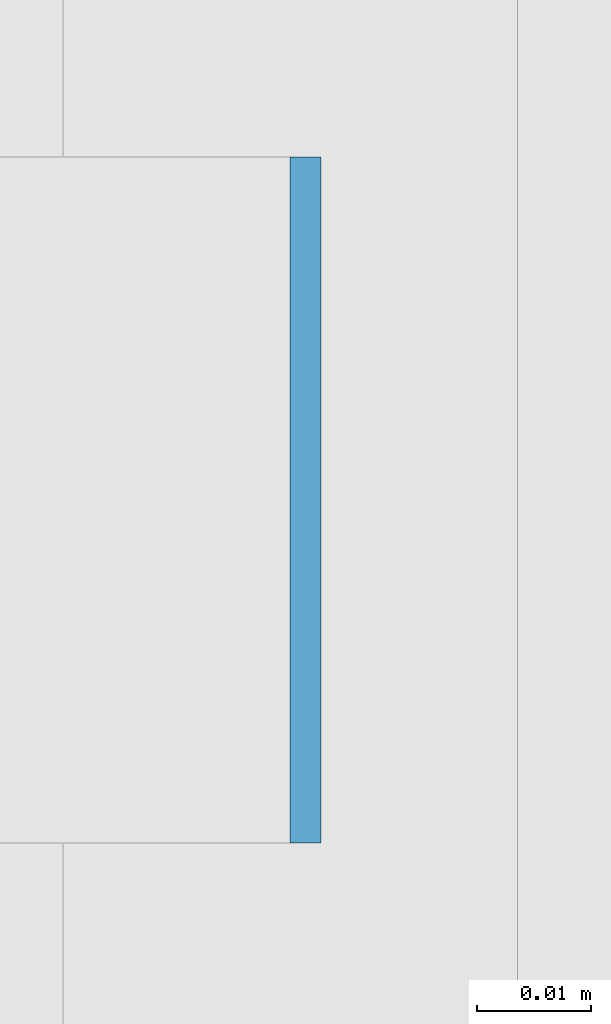
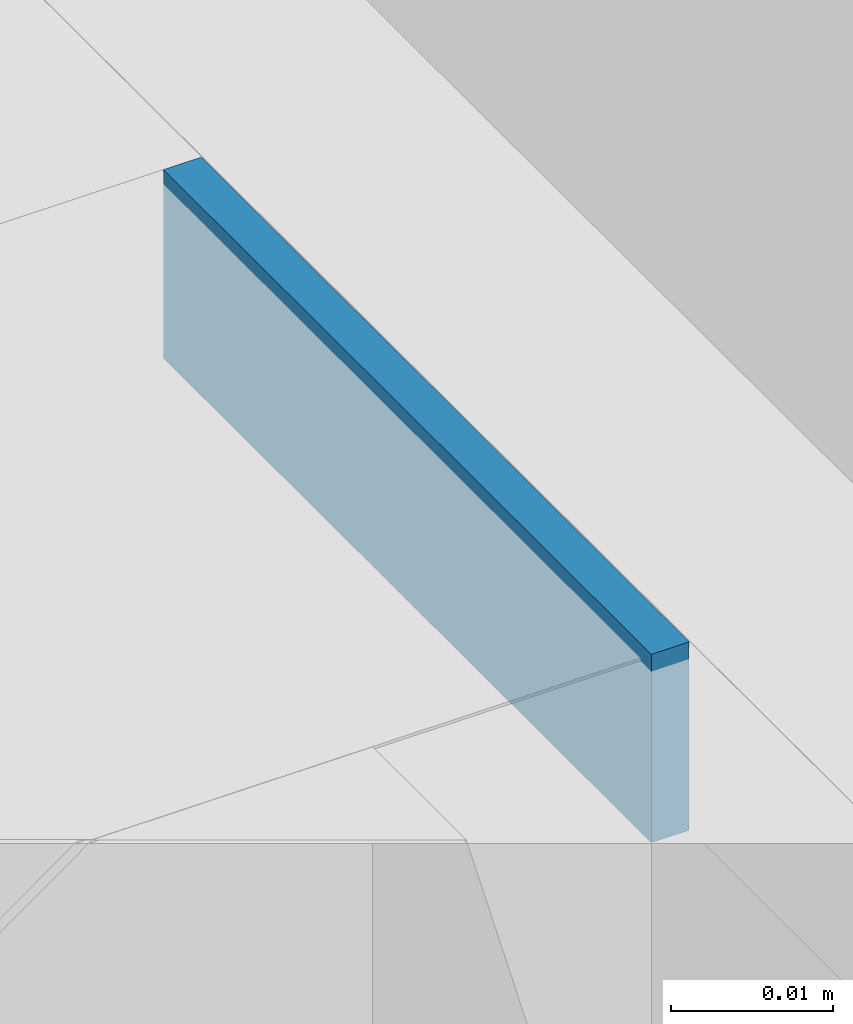
# One storey, part 295 of 646: 1 discrete accessory.
"""IFC4 building model written with IfcOpenShell, lengths in metres."""

import ifcopenshell
import ifcopenshell.guid

model = None  # the IFC model being written
_history = None  # IfcOwnerHistory: only IFC2X3 demands one
_inside = {}  # id of a spatial element -> (the spatial element, [elements in it])
_under = {}  # id of a project, library or spatial element -> (it, [spatial elements below it])
_declared = {}  # id of a project -> (the project, [libraries it declares])
_typed = {}  # id of a type object -> (the type object, [elements of that type])
_made_of = {}  # id of a material, layer set ... -> (it, [elements and type objects made of it])


def new_model(schema):
    """Start an empty IFC model of exactly this schema.

    Asked for "IFC4X3", IfcOpenShell would pick the latest addendum, in which some entities
    have other attributes; the version numbers below select the first issue.
    IFC2X3 requires an IfcOwnerHistory on every rooted entity: one is made here for all.
    """
    global model, _history
    if schema == "IFC4X3":
        model = ifcopenshell.file(schema_version=(4, 3, 0, 0))
    else:
        model = ifcopenshell.file(schema=schema)
    _inside.clear()
    _under.clear()
    _declared.clear()
    _typed.clear()
    _made_of.clear()
    _history = None
    if model.schema == "IFC2X3":
        org = make("IfcOrganization", Name="unknown")
        user = make(
            "IfcPersonAndOrganization",
            ThePerson=make("IfcPerson", FamilyName="unknown"),
            TheOrganization=org,
        )
        app = make(
            "IfcApplication",
            ApplicationDeveloper=org,
            Version="unknown",
            ApplicationFullName="unknown",
            ApplicationIdentifier="unknown",
        )
        _history = make(
            "IfcOwnerHistory",
            OwningUser=user,
            OwningApplication=app,
            ChangeAction="ADDED",
            CreationDate=0,
        )
    return model


def make(cls, **values):
    """One entity of the class cls with the attributes given. An attribute that is None is left unset."""
    return model.create_entity(
        cls, **{name: value for name, value in values.items() if value is not None}
    )


def rooted(cls, **values):
    """An entity with a GlobalId (a new one), such as an element, a storey or a relation."""
    return make(cls, GlobalId=ifcopenshell.guid.new(), OwnerHistory=_history, **values)


def si_unit(unit_type, name, prefix=None):
    """IfcSIUnit, for example si_unit("LENGTHUNIT", "METRE", prefix="MILLI")."""
    return make("IfcSIUnit", UnitType=unit_type, Prefix=prefix, Name=name)


def assignment(units):
    """IfcUnitAssignment: the units of a project."""
    return None if units is None else make("IfcUnitAssignment", Units=units)


def point(xyz):
    """IfcCartesianPoint."""
    return None if xyz is None else make("IfcCartesianPoint", Coordinates=xyz)


def direction(xyz):
    """IfcDirection."""
    return None if xyz is None else make("IfcDirection", DirectionRatios=xyz)


def frame(location, z_axis=None, x_axis=None):
    """IfcAxis2Placement3D, a coordinate frame: its origin and axes. An axis left out is left unset."""
    return make(
        "IfcAxis2Placement3D",
        Location=point(location),
        Axis=direction(z_axis),
        RefDirection=direction(x_axis),
    )


def frame_2d(location, x_axis=None):
    """IfcAxis2Placement2D, a coordinate frame in the plane: its origin and x axis."""
    return make(
        "IfcAxis2Placement2D", Location=point(location), RefDirection=direction(x_axis)
    )


def origin():
    """The frame at (0, 0, 0) with its axes left unset."""
    return frame((0.0, 0.0, 0.0))


def origin_2d():
    """The frame at (0, 0) in the plane with its x axis left unset."""
    return frame_2d((0.0, 0.0))


def place(relative_to, where):
    """IfcLocalPlacement: puts the frame where relative to a parent placement (None: the world)."""
    return make(
        "IfcLocalPlacement", PlacementRelTo=relative_to, RelativePlacement=where
    )


def context(
    kind, dimensions, precision=None, world=None, true_north=None, identifier=None
):
    """IfcGeometricRepresentationContext, for example the 3D "Model" context."""
    return make(
        "IfcGeometricRepresentationContext",
        ContextIdentifier=identifier,
        ContextType=kind,
        CoordinateSpaceDimension=dimensions,
        Precision=precision,
        WorldCoordinateSystem=world,
        TrueNorth=true_north,
    )


def subcontext(parent, identifier, kind, view, scale=None):
    """IfcGeometricRepresentationSubContext, for example "Body" below "Model"."""
    return make(
        "IfcGeometricRepresentationSubContext",
        ContextIdentifier=identifier,
        ContextType=kind,
        ParentContext=parent,
        TargetScale=scale,
        TargetView=view,
    )


def project(units=None, contexts=None):
    """IfcProject with its units and contexts."""
    return rooted(
        "IfcProject",
        Name="project",
        RepresentationContexts=contexts,
        UnitsInContext=assignment(units),
    )


def spatial(cls, under=None, at=None, **own):
    """A site, building, storey or space (cls), placed at a placement, below another one or the project."""
    s = rooted(cls, ObjectPlacement=at, **own)
    if under is not None:
        _under.setdefault(under.id(), (under, []))[1].append(s)
    return s


def profile(cls, at=None, kind="AREA", **sizes):
    """A parametric profile (cls). Its sizes go by their IFC names, for example OverallWidth=200.0."""
    return make(cls, ProfileType=kind, Position=at, **sizes)


def rectangle(**sizes):
    """IfcRectangleProfileDef."""
    return profile("IfcRectangleProfileDef", **sizes)


def extrude(swept, where, along, depth):
    """IfcExtrudedAreaSolid: the profile swept, set in the frame where, extruded along a direction by depth."""
    return make(
        "IfcExtrudedAreaSolid",
        SweptArea=swept,
        Position=where,
        ExtrudedDirection=direction(along),
        Depth=depth,
    )


def shape(context_of_items, identifier, shape_type, items):
    """IfcShapeRepresentation: the items that make up one representation, for example the "Body"."""
    return make(
        "IfcShapeRepresentation",
        ContextOfItems=context_of_items,
        RepresentationIdentifier=identifier,
        RepresentationType=shape_type,
        Items=items,
    )


def material(Name=None, Category=None):
    """IfcMaterial."""
    return make("IfcMaterial", Name=Name, Category=Category)


def made_of(thing, what):
    """Note that an element or type object is made of a material, layer set ...; save() writes the relation."""
    if what is not None:
        _made_of.setdefault(what.id(), (what, []))[1].append(thing)
    return thing


def type_object(cls, material=None, **own):
    """A type object (cls), such as IfcWallType, which elements share."""
    return made_of(rooted(cls, **own), material)


def element(
    cls,
    number,
    at=None,
    inside=None,
    cuts=None,
    type_object=None,
    material=None,
    context=None,
    identifier="Body",
    shape_type=None,
    held_by="IfcProductDefinitionShape",
    body=None,
    shapes=None,
    **own,
):
    """One element of the class cls, such as IfcWall. Its Tag is "e" and its number.

    at: its placement. inside: the storey or other place that contains it. cuts: it is an
    opening in that element (IfcRelVoidsElement). A single representation is given by context,
    identifier, shape_type and body (its items); several are given by shapes. held_by: the class
    of the entity that holds the representations. save() writes the other relations.
    """
    e = rooted(cls, Tag="e%d" % number, ObjectPlacement=at, **own)
    if body is not None:
        shapes = [shape(context, identifier, shape_type, body)]
    if shapes is not None:
        e.Representation = make(held_by, Representations=shapes)
    if inside is not None:
        _inside.setdefault(inside.id(), (inside, []))[1].append(e)
    if cuts is not None:
        rooted(
            "IfcRelVoidsElement", RelatingBuildingElement=cuts, RelatedOpeningElement=e
        )
    if type_object is not None:
        _typed.setdefault(type_object.id(), (type_object, []))[1].append(e)
    return made_of(e, material)


def aggregate(whole, parts):
    """IfcRelAggregates: a whole, such as a stair, and the parts it consists of."""
    return rooted("IfcRelAggregates", RelatingObject=whole, RelatedObjects=parts)


def save(model, path):
    """Write the relations noted so far, then the file.

    IfcRelAggregates (storeys below a building ...), IfcRelContainedInSpatialStructure (elements
    in a storey), IfcRelDefinesByType, IfcRelAssociatesMaterial and IfcRelDeclares: one each for
    every whole, place, type object, material and project.
    """
    for whole, parts in _under.values():
        aggregate(whole, parts)
    for where, things in _inside.values():
        rooted(
            "IfcRelContainedInSpatialStructure",
            RelatedElements=things,
            RelatingStructure=where,
        )
    for kind, things in _typed.values():
        rooted("IfcRelDefinesByType", RelatedObjects=things, RelatingType=kind)
    for what, things in _made_of.values():
        rooted("IfcRelAssociatesMaterial", RelatedObjects=things, RelatingMaterial=what)
    for by, libraries in _declared.values():
        rooted("IfcRelDeclares", RelatingContext=by, RelatedDefinitions=libraries)
    model.write(path)


model = new_model("IFC4")

# Units and contexts
model_context = context("Model", 3, precision=1e-05, world=origin(), true_north=direction((0.0, 1.0)))
body_context = subcontext(model_context, "Body", "Model", "MODEL_VIEW")
ifc_project = project(units=[si_unit("LENGTHUNIT", "METRE"), si_unit("AREAUNIT", "SQUARE_METRE"), si_unit("VOLUMEUNIT", "CUBIC_METRE"), si_unit("PLANEANGLEUNIT", "RADIAN"), si_unit("MASSUNIT", "GRAM", prefix="KILO")], contexts=[model_context])

# Site, building, storey
site_placement = place(None, origin())
site = spatial("IfcSite", under=ifc_project, at=site_placement, CompositionType="ELEMENT")
building_placement = place(site_placement, origin())
building = spatial("IfcBuilding", under=site, at=building_placement, Name="Silverbay Arena", CompositionType="ELEMENT")
storey_placement = place(building_placement, frame((0.0, 0.0, 33.5)))
storey = spatial("IfcBuildingStorey", under=building, at=storey_placement, Name="L05", CompositionType="ELEMENT", Elevation=33.5)

# Discrete accessory
ifc_material = material(Name="Steel S355", Category="steel")
discrete_accessory_type = type_object("IfcDiscreteAccessoryType", Name="Steel bracket plate", PredefinedType="BRACKET", material=ifc_material)
discrete_accessory_placement = place(storey_placement, frame((53.871337890625, 60.428466796875, 12.98583984375), z_axis=(0.0, 0.0, 1.0), x_axis=(1.0, 0.0, 0.0)))
element("IfcDiscreteAccessory", 1, at=discrete_accessory_placement, inside=storey, type_object=discrete_accessory_type, Name="Curtain wall packing plate", PredefinedType="BRACKET", context=body_context, shape_type="SweptSolid", body=[
    extrude(rectangle(XDim=0.002685546875, YDim=0.06005859375, at=origin_2d()), origin(), (0.0, 0.0, 1.0), 0.01416015625),
])

save(model, "model.ifc")
